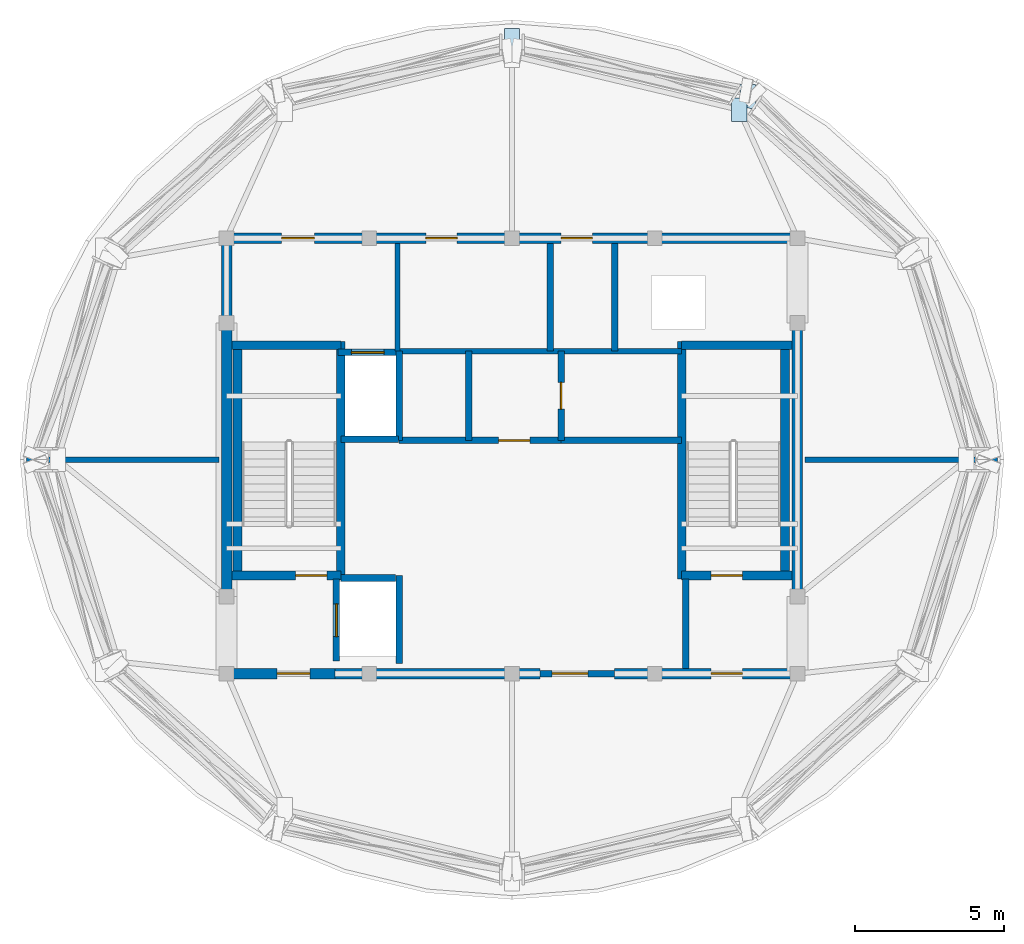
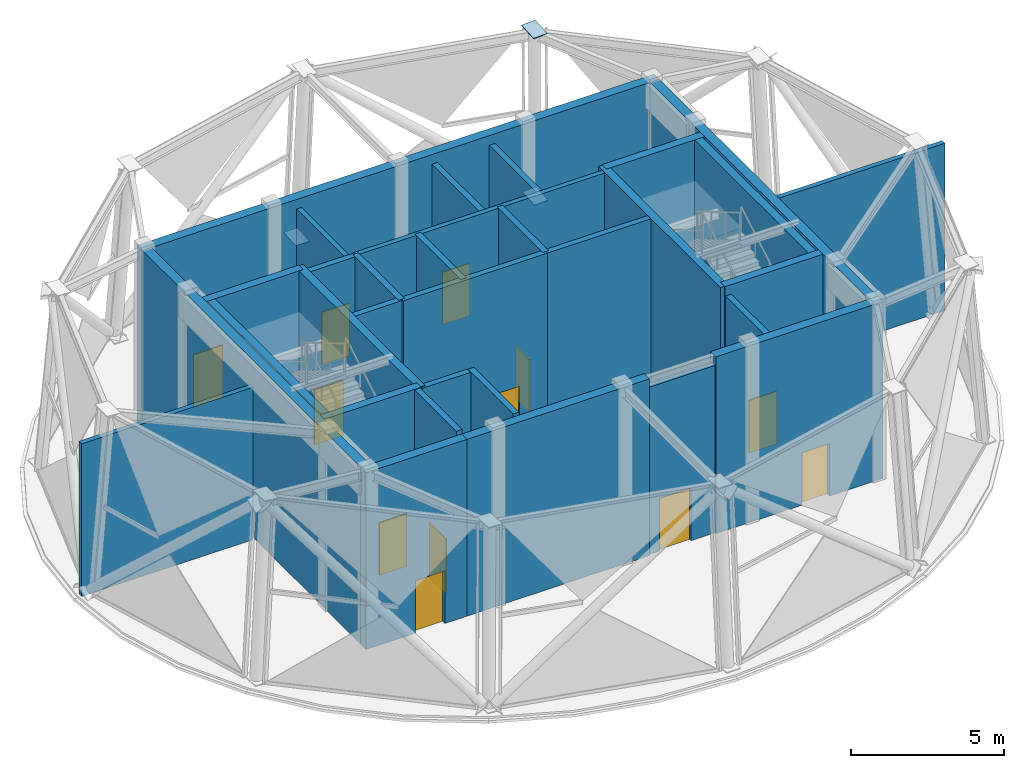
# One storey, part 5 of 9: 32 walls, 12 doors, 3 plates, 12 openings.
"""IFC4 building model written with IfcOpenShell, lengths in metres."""

from ifc_helpers import new_model, si_unit, direction, frame, frame_2d, origin, place, context, subcontext, project, spatial, polyline, rectangle, outline, extrude, material, layer, layer_set, type_object, element, fill, save


model = new_model("IFC4")

# Units and contexts
model_context = context("Model", 3, precision=1e-05, world=origin(), true_north=direction((0.0, 1.0)))
body_context = subcontext(model_context, "Body", "Model", "MODEL_VIEW")
ifc_project = project(units=[si_unit("LENGTHUNIT", "METRE"), si_unit("AREAUNIT", "SQUARE_METRE"), si_unit("VOLUMEUNIT", "CUBIC_METRE"), si_unit("PLANEANGLEUNIT", "RADIAN"), si_unit("MASSUNIT", "GRAM", prefix="KILO")], contexts=[model_context])

# Site, building, storey
site_placement = place(None, origin())
site = spatial("IfcSite", under=ifc_project, at=site_placement, CompositionType="ELEMENT")
building_placement = place(site_placement, origin())
building = spatial("IfcBuilding", under=site, at=building_placement, Name="Vantalir Tower", CompositionType="ELEMENT")
storey_placement = place(building_placement, frame((0.0, 0.0, 319.0)))
storey = spatial("IfcBuildingStorey", under=building, at=storey_placement, Name="L78", CompositionType="ELEMENT", Elevation=319.0)

# Plates
ifc_material_1 = material(Name="Steel S460", Category="steel")
ifc_layer_1 = layer(ifc_material_1, 0.031982421875)
ifc_layer_set_1 = layer_set([ifc_layer_1], Name="Steel S460")
plate_type = type_object("IfcPlateType", Name="PLT-KN-Z3", PredefinedType="USERDEFINED", material=ifc_layer_set_1)
plate_1_placement = place(storey_placement, frame((38.88330078125, 37.168212890625, 7.10888671875), z_axis=(-0.041617296581, -0.064184468103, 0.997069884552), x_axis=(-6.331688e-06, -0.997934453056, -0.06424038733)))
element("IfcPlate", 1, at=plate_1_placement, inside=storey, type_object=plate_type, Name="L78 Ring Column Top Cap RC03", ObjectType="FLANGE_PLATE", PredefinedType="USERDEFINED", context=body_context, shape_type="SweptSolid", body=[
    extrude(outline(polyline([(0.0, 0.0), (0.8000000935592787, 4.336808689942018e-19), (0.7998191374951982, 0.5199868177895337), (-0.0001652723757674195, 0.5199766784028871), (0.0, 0.0)])), origin(), (0.0, 0.0, -1.0), 0.031982421875),
])
plate_2_placement = place(storey_placement, frame((39.176025390625, 37.62158203125, 0.06787109375), z_axis=(-0.04139846883, -0.064327084096, 0.997069803489), x_axis=(4.06224e-07, -0.997925310052, -0.064382261201)))
element("IfcPlate", 2, at=plate_2_placement, inside=storey, type_object=plate_type, Name="L78 Ring Column Base Cap RC03", ObjectType="FLANGE_PLATE", PredefinedType="USERDEFINED", context=body_context, shape_type="SweptSolid", body=[
    extrude(outline(polyline([(0.0, 0.0), (0.8002437368881027, 0.0), (0.8000789058358282, 0.5199766927285164), (7.880305662494314e-05, 0.5199773433442391), (0.0, 0.0)])), origin(), (0.0, 0.0, -1.0), 0.031982421875),
])
plate_3_placement = place(storey_placement, frame((31.239990234375, 39.510986328125, 0.08251953125), z_axis=(0.0, -0.074152691722, 0.997246899374), x_axis=(0.0, -0.997246899374, -0.074152691722)))
element("IfcPlate", 3, at=plate_3_placement, inside=storey, type_object=plate_type, Name="L78 Ring Column Base Cap RC04", ObjectType="FLANGE_PLATE", PredefinedType="USERDEFINED", context=body_context, shape_type="SweptSolid", body=[
    extrude(outline(polyline([(0.0, 0.0), (0.8000541921976495, 0.0), (0.8000541921976495, 0.52001953125), (0.0, 0.52001953125), (0.0, 0.0)])), origin(), (0.0, 0.0, -1.0), 0.031982421875),
])

# Wall, opening, door
ifc_material_2 = material(Name="Concrete C50/60", Category="concrete")
ifc_layer_2 = layer(ifc_material_2, 0.35009765625)
ifc_layer_set_2 = layer_set([ifc_layer_2], Name="Concrete C50/60")
wall_type_1 = type_object("IfcWallType", Name="WL-CORE-350", PredefinedType="SHEAR", material=ifc_layer_set_2)
wall_1_placement = place(storey_placement, frame((21.72509765625, 17.800048828125, 0.0), z_axis=(0.0, 0.0, 1.0), x_axis=(1.0, 0.0, 0.0)))
wall_1 = element("IfcWall", 4, at=wall_1_placement, inside=storey, type_object=wall_type_1, Name="L78 Core Shear Wall South-West", PredefinedType="SHEAR", context=body_context, shape_type="SweptSolid", body=[
    extrude(rectangle(XDim=3.824951171875, YDim=0.35009765625, at=frame_2d((1.91259765625, 0.0))), origin(), (0.0, 0.0, 1.0), 7.070068359375),
])
opening_1_placement = place(wall_1_placement, frame((1.875, 0.0, 0.0)))
opening_1 = element("IfcOpeningElement", 5, at=opening_1_placement, cuts=wall_1, Name="Opening D-FFL", PredefinedType="OPENING", context=body_context, shape_type="SweptSolid", body=[
    extrude(rectangle(XDim=1.10009765625, YDim=2.10009765625, at=frame_2d((0.550048828125, 1.050048828125))), frame((0.0, 0.18505859375, 0.0), z_axis=(0.0, -1.0, 0.0), x_axis=(1.0, 0.0, 0.0)), (0.0, 0.0, 1.0), 0.3701171875),
])
ifc_material_3 = material(Name="Fire-rated acoustic steel door", Category="steel")
door_type_1 = type_object("IfcDoorType", Name="DR-FIRE-LOBBY-1100", OperationType="NOTDEFINED", PredefinedType="DOOR", material=ifc_material_3)
door_1_placement = place(opening_1_placement, origin())
door_1 = element("IfcDoor", 6, at=door_1_placement, inside=storey, type_object=door_type_1, Name="L78 Firefighting Lobby West Access Door", OperationType="SINGLE_SWING_LEFT", OverallHeight=2.10009765625, OverallWidth=1.10009765625, PredefinedType="DOOR", context=body_context, shape_type="SweptSolid", body=[
    extrude(rectangle(XDim=1.10009765625, YDim=2.10009765625, at=frame_2d((0.550048828125, 1.050048828125))), frame((0.0, 0.02490234375, 0.0), z_axis=(0.0, -1.0, 0.0), x_axis=(1.0, 0.0, 0.0)), (0.0, 0.0, 1.0), 0.050048828125),
])
fill(opening_1, door_1)

# Wall
wall_2_placement = place(storey_placement, frame((25.550048828125, 17.800048828125, 0.0), z_axis=(0.0, 0.0, 1.0), x_axis=(1.0, 0.0, 0.0)))
element("IfcWall", 7, at=wall_2_placement, inside=storey, type_object=wall_type_1, Name="L78 Core Shear Wall South-Mid", PredefinedType="SHEAR", context=body_context, shape_type="SweptSolid", body=[
    extrude(rectangle(XDim=6.89990234375, YDim=0.35009765625, at=frame_2d((3.449951171875, 0.0))), origin(), (0.0, 0.0, 1.0), 7.070068359375),
])

# Wall, opening, door
wall_3_placement = place(storey_placement, frame((34.949951171875, 17.800048828125, 0.0), z_axis=(0.0, 0.0, 1.0), x_axis=(1.0, 0.0, 0.0)))
wall_3 = element("IfcWall", 8, at=wall_3_placement, inside=storey, type_object=wall_type_1, Name="L78 Core Shear Wall South-East", PredefinedType="SHEAR", context=body_context, shape_type="SweptSolid", body=[
    extrude(rectangle(XDim=6.324951171875, YDim=0.35009765625, at=frame_2d((3.16259765625, 0.0))), origin(), (0.0, 0.0, 1.0), 7.070068359375),
])
opening_2_placement = place(wall_3_placement, frame((3.25, 0.0, 0.0)))
opening_2 = element("IfcOpeningElement", 9, at=opening_2_placement, cuts=wall_3, Name="Opening D-ST", PredefinedType="OPENING", context=body_context, shape_type="SweptSolid", body=[
    extrude(rectangle(XDim=1.050048828125, YDim=2.10009765625, at=frame_2d((0.52490234375, 1.050048828125))), frame((0.0, 0.18505859375, 0.0), z_axis=(0.0, -1.0, 0.0), x_axis=(1.0, 0.0, 0.0)), (0.0, 0.0, 1.0), 0.3701171875),
])
ifc_material_4 = material(Name="Fire-rated steel door leaf", Category="steel")
door_type_2 = type_object("IfcDoorType", Name="DR-FIRE-STAIR-1050", OperationType="NOTDEFINED", PredefinedType="DOOR", material=ifc_material_4)
door_2_placement = place(opening_2_placement, origin())
door_2 = element("IfcDoor", 10, at=door_2_placement, inside=storey, type_object=door_type_2, Name="L78 Stair ST2 Exit Lobby Door", OperationType="SINGLE_SWING_LEFT", OverallHeight=2.10009765625, OverallWidth=1.050048828125, PredefinedType="DOOR", context=body_context, shape_type="SweptSolid", body=[
    extrude(rectangle(XDim=1.050048828125, YDim=2.10009765625, at=frame_2d((0.52490234375, 1.050048828125))), frame((0.0, 0.02490234375, 0.0), z_axis=(0.0, -1.0, 0.0), x_axis=(1.0, 0.0, 0.0)), (0.0, 0.0, 1.0), 0.050048828125),
])
fill(opening_2, door_2)

# Wall, openings, doors
wall_4_placement = place(storey_placement, frame((21.72509765625, 32.449951171875, 0.0), z_axis=(0.0, 0.0, 1.0), x_axis=(1.0, 0.0, 0.0)))
wall_4 = element("IfcWall", 11, at=wall_4_placement, inside=storey, type_object=wall_type_1, Name="L78 Core Shear Wall North", PredefinedType="SHEAR", context=body_context, shape_type="SweptSolid", body=[
    extrude(rectangle(XDim=19.5498046875, YDim=0.35009765625, at=frame_2d((9.77490234375, 0.0))), origin(), (0.0, 0.0, 1.0), 7.070068359375),
])
opening_3_placement = place(wall_4_placement, frame((2.02490234375, 0.0, 0.0)))
opening_3 = element("IfcOpeningElement", 12, at=opening_3_placement, cuts=wall_4, Name="Opening D-FFL", PredefinedType="OPENING", context=body_context, shape_type="SweptSolid", body=[
    extrude(rectangle(XDim=1.10009765625, YDim=2.10009765625, at=frame_2d((0.550048828125, 1.050048828125))), frame((0.0, 0.18505859375, 0.0), z_axis=(0.0, -1.0, 0.0), x_axis=(1.0, 0.0, 0.0)), (0.0, 0.0, 1.0), 0.3701171875),
])
opening_4_placement = place(wall_4_placement, frame((11.425048828125, 0.0, 0.0)))
opening_4 = element("IfcOpeningElement", 13, at=opening_4_placement, cuts=wall_4, Name="Opening D-ST", PredefinedType="OPENING", context=body_context, shape_type="SweptSolid", body=[
    extrude(rectangle(XDim=1.050048828125, YDim=2.10009765625, at=frame_2d((0.52490234375, 1.050048828125))), frame((0.0, 0.18505859375, 0.0), z_axis=(0.0, -1.0, 0.0), x_axis=(1.0, 0.0, 0.0)), (0.0, 0.0, 1.0), 0.3701171875),
])
opening_5_placement = place(wall_4_placement, frame((6.875, 0.0, 0.0)))
opening_5 = element("IfcOpeningElement", 14, at=opening_5_placement, cuts=wall_4, Name="Opening D-ST", PredefinedType="OPENING", context=body_context, shape_type="SweptSolid", body=[
    extrude(rectangle(XDim=1.050048828125, YDim=2.10009765625, at=frame_2d((0.52490234375, 1.050048828125))), frame((0.0, 0.18505859375, 0.0), z_axis=(0.0, -1.0, 0.0), x_axis=(1.0, 0.0, 0.0)), (0.0, 0.0, 1.0), 0.3701171875),
])
door_3_placement = place(opening_3_placement, frame((1.10009765625, 0.0, 0.0), z_axis=(0.0, 0.0, 1.0), x_axis=(-1.0, 0.0, 0.0)))
door_3 = element("IfcDoor", 15, at=door_3_placement, inside=storey, type_object=door_type_1, Name="L78 Firefighting Lobby East Access Door", OperationType="SINGLE_SWING_RIGHT", OverallHeight=2.10009765625, OverallWidth=1.10009765625, PredefinedType="DOOR", context=body_context, shape_type="SweptSolid", body=[
    extrude(rectangle(XDim=1.10009765625, YDim=2.10009765625, at=frame_2d((0.550048828125, 1.050048828125))), frame((0.0, 0.02490234375, 0.0), z_axis=(0.0, -1.0, 0.0), x_axis=(1.0, 0.0, 0.0)), (0.0, 0.0, 1.0), 0.050048828125),
])
fill(opening_3, door_3)
door_4_placement = place(opening_4_placement, frame((1.050048828125, 0.0, 0.0), z_axis=(0.0, 0.0, 1.0), x_axis=(-1.0, 0.0, 0.0)))
door_4 = element("IfcDoor", 16, at=door_4_placement, inside=storey, type_object=door_type_2, Name="L78 North Crown Passage Link Door", OperationType="SINGLE_SWING_RIGHT", OverallHeight=2.10009765625, OverallWidth=1.050048828125, PredefinedType="DOOR", context=body_context, shape_type="SweptSolid", body=[
    extrude(rectangle(XDim=1.050048828125, YDim=2.10009765625, at=frame_2d((0.52490234375, 1.050048828125))), frame((0.0, 0.02490234375, 0.0), z_axis=(0.0, -1.0, 0.0), x_axis=(1.0, 0.0, 0.0)), (0.0, 0.0, 1.0), 0.050048828125),
])
fill(opening_4, door_4)
door_5_placement = place(opening_5_placement, frame((1.050048828125, 0.0, 0.0), z_axis=(0.0, 0.0, 1.0), x_axis=(-1.0, 0.0, 0.0)))
door_5 = element("IfcDoor", 17, at=door_5_placement, inside=storey, type_object=door_type_2, Name="L78 Crown Telemetry Plant Door", OperationType="SINGLE_SWING_LEFT", OverallHeight=2.10009765625, OverallWidth=1.050048828125, PredefinedType="DOOR", context=body_context, shape_type="SweptSolid", body=[
    extrude(rectangle(XDim=1.050048828125, YDim=2.10009765625, at=frame_2d((0.52490234375, 1.050048828125))), frame((0.0, 0.02490234375, 0.0), z_axis=(0.0, -1.0, 0.0), x_axis=(1.0, 0.0, 0.0)), (0.0, 0.0, 1.0), 0.050048828125),
])
fill(opening_5, door_5)

# Walls
for number, where, z_axis, x_axis, name in (
    (18, (21.89990234375, 17.97509765625, 0.0), (0.0, 0.0, 1.0), (0.0, 1.0, 0.0), "L78 Core Shear Wall West"),
    (19, (41.10009765625, 17.97509765625, 0.0), (0.0, 0.0, 1.0), (0.0, 1.0, 0.0), "L78 Core Shear Wall East"),
):
    element("IfcWall", number, at=place(storey_placement, frame(where, z_axis=z_axis, x_axis=x_axis)), inside=storey, type_object=wall_type_1, Name=name, PredefinedType="SHEAR", context=body_context, shape_type="SweptSolid", body=[
        extrude(rectangle(XDim=14.2998046875, YDim=0.35009765625, at=frame_2d((7.14990234375, 0.0))), origin(), (0.0, 0.0, 1.0), 7.070068359375),
    ])
ifc_material_5 = material(Name="Concrete blockwork with fireboard lining", Category="masonry")
ifc_layer_3 = layer(ifc_material_5, 0.219970703125)
ifc_layer_set_3 = layer_set([ifc_layer_3], Name="Concrete blockwork with fireboard lining")
wall_type_2 = type_object("IfcWallType", Name="WL-FFL-220", PredefinedType="PARTITIONING", material=ifc_layer_set_3)
wall_5_placement = place(storey_placement, frame((25.75, 21.02001953125, 0.0), z_axis=(0.0, 0.0, 1.0), x_axis=(1.0, 0.0, 0.0)))
element("IfcWall", 20, at=wall_5_placement, inside=storey, type_object=wall_type_2, Name="L78 Fire Lift FL1 Crown North Shaft Wall", PredefinedType="PARTITIONING", context=body_context, shape_type="SweptSolid", body=[
    extrude(rectangle(XDim=1.830078125, YDim=0.219970703125, at=frame_2d((0.9150390625, 0.0))), origin(), (0.0, 0.0, 1.0), 7.044921875),
])
wall_6_placement = place(storey_placement, frame((25.75, 25.68994140625, 0.0), z_axis=(0.0, 0.0, 1.0), x_axis=(1.0, 0.0, 0.0)))
element("IfcWall", 21, at=wall_6_placement, inside=storey, type_object=wall_type_2, Name="L78 Fire Lift FL2 Crown South Shaft Wall", PredefinedType="PARTITIONING", context=body_context, shape_type="SweptSolid", body=[
    extrude(rectangle(XDim=1.929931640625, YDim=0.219970703125, at=frame_2d((0.96484375, 0.0))), origin(), (0.0, 0.0, 1.0), 7.044921875),
])

# Wall, opening, door
wall_7_placement = place(storey_placement, frame((32.449951171875, 17.800048828125, 0.0), z_axis=(0.0, 0.0, 1.0), x_axis=(1.0, 0.0, 0.0)))
wall_7 = element("IfcWall", 22, at=wall_7_placement, inside=storey, type_object=wall_type_2, Name="L78 Passenger Lift Lobby South Wall", PredefinedType="PARTITIONING", context=body_context, shape_type="SweptSolid", body=[
    extrude(rectangle(XDim=2.5, YDim=0.219970703125, at=frame_2d((1.25, 0.0))), origin(), (0.0, 0.0, 1.0), 6.68701171875),
])
opening_6_placement = place(wall_7_placement, frame((0.39990234375, 0.0, 0.0)))
opening_6 = element("IfcOpeningElement", 23, at=opening_6_placement, cuts=wall_7, Name="Opening D-STE", PredefinedType="OPENING", context=body_context, shape_type="SweptSolid", body=[
    extrude(rectangle(XDim=1.199951171875, YDim=2.10009765625, at=frame_2d((0.60009765625, 1.050048828125))), frame((0.0, 0.119873046875, 0.0), z_axis=(0.0, -1.0, 0.0), x_axis=(1.0, 0.0, 0.0)), (0.0, 0.0, 1.0), 0.239990234375),
])
ifc_material_6 = material(Name="Solid-core teak veneer suite entrance door", Category="wood")
door_type_3 = type_object("IfcDoorType", Name="DR-SUITE-ENTRY-1200", OperationType="NOTDEFINED", PredefinedType="DOOR", material=ifc_material_6)
door_6_placement = place(opening_6_placement, origin())
door_6 = element("IfcDoor", 24, at=door_6_placement, inside=storey, type_object=door_type_3, Name="L78 Passenger Lift Lobby Concourse Door", OperationType="SINGLE_SWING_LEFT", OverallHeight=2.10009765625, OverallWidth=1.199951171875, PredefinedType="DOOR", context=body_context, shape_type="SweptSolid", body=[
    extrude(rectangle(XDim=1.199951171875, YDim=2.10009765625, at=frame_2d((0.60009765625, 1.050048828125))), frame((0.0, 0.02490234375, 0.0), z_axis=(0.0, -1.0, 0.0), x_axis=(1.0, 0.0, 0.0)), (0.0, 0.0, 1.0), 0.050048828125),
])
fill(opening_6, door_6)

# Wall
wall_8_placement = place(storey_placement, frame((37.35009765625, 17.97509765625, 0.0), z_axis=(0.0, 0.0, 1.0), x_axis=(0.0, 1.0, 0.0)))
element("IfcWall", 25, at=wall_8_placement, inside=storey, type_object=wall_type_2, Name="L78 ST2 Exit Lobby West Wall", PredefinedType="PARTITIONING", context=body_context, shape_type="SweptSolid", body=[
    extrude(rectangle(XDim=3.0048828125, YDim=0.219970703125, at=frame_2d((1.50244140625, 0.0))), origin(), (0.0, 0.0, 1.0), 6.68701171875),
])

# Wall, opening, door
wall_9_placement = place(storey_placement, frame((25.590087890625, 18.219970703125, 0.0), z_axis=(0.0, 0.0, 1.0), x_axis=(0.0, 1.0, 0.0)))
wall_9 = element("IfcWall", 26, at=wall_9_placement, inside=storey, type_object=wall_type_2, Name="L78 Lift FL1 Shaft Front Wall", PredefinedType="PARTITIONING", context=body_context, shape_type="SweptSolid", body=[
    extrude(rectangle(XDim=2.760009765625, YDim=0.219970703125, at=frame_2d((1.3798828125, 0.0))), origin(), (0.0, 0.0, 1.0), 7.050048828125),
])
opening_7_placement = place(wall_9_placement, frame((0.830078125, 0.0, 0.0)))
opening_7 = element("IfcOpeningElement", 27, at=opening_7_placement, cuts=wall_9, Name="Opening LD-FL1", PredefinedType="OPENING", context=body_context, shape_type="SweptSolid", body=[
    extrude(rectangle(XDim=1.10009765625, YDim=2.199951171875, at=frame_2d((0.550048828125, 1.10009765625))), frame((0.0, 0.119873046875, 0.0), z_axis=(0.0, -1.0, 0.0), x_axis=(1.0, 0.0, 0.0)), (0.0, 0.0, 1.0), 0.239990234375),
])
ifc_material_7 = material(Name="Brushed stainless-steel sliding lift landing door", Category="steel")
door_type_4 = type_object("IfcDoorType", Name="DR-LIFT-LANDING-1100", OperationType="DOUBLE_DOOR_SLIDING", PredefinedType="DOOR", material=ifc_material_7)
door_7_placement = place(opening_7_placement, origin())
door_7 = element("IfcDoor", 28, at=door_7_placement, inside=storey, type_object=door_type_4, Name="L78 Lift Landing Door FL1", OperationType="DOUBLE_DOOR_SLIDING", OverallHeight=2.199951171875, OverallWidth=1.10009765625, PredefinedType="DOOR", context=body_context, shape_type="SweptSolid", body=[
    extrude(rectangle(XDim=1.10009765625, YDim=2.199951171875, at=frame_2d((0.550048828125, 1.10009765625))), frame((0.0, 0.02490234375, 0.0), z_axis=(0.0, -1.0, 0.0), x_axis=(1.0, 0.0, 0.0)), (0.0, 0.0, 1.0), 0.050048828125),
])
fill(opening_7, door_7)

wall_10_placement = place(storey_placement, frame((25.639892578125, 28.610107421875, 0.0), z_axis=(0.0, 0.0, 1.0), x_axis=(1.0, 0.0, 0.0)))
wall_10 = element("IfcWall", 29, at=wall_10_placement, inside=storey, type_object=wall_type_2, Name="L78 Lift FL2 Shaft Front Wall", PredefinedType="PARTITIONING", context=body_context, shape_type="SweptSolid", body=[
    extrude(rectangle(XDim=2.02001953125, YDim=0.219970703125, at=frame_2d((1.010009765625, 0.0))), origin(), (0.0, 0.0, 1.0), 7.050048828125),
])
opening_8_placement = place(wall_10_placement, frame((0.4599609375, 0.0, 0.0)))
opening_8 = element("IfcOpeningElement", 30, at=opening_8_placement, cuts=wall_10, Name="Opening LD-FL2", PredefinedType="OPENING", context=body_context, shape_type="SweptSolid", body=[
    extrude(rectangle(XDim=1.10009765625, YDim=2.199951171875, at=frame_2d((0.550048828125, 1.10009765625))), frame((0.0, 0.119873046875, 0.0), z_axis=(0.0, -1.0, 0.0), x_axis=(1.0, 0.0, 0.0)), (0.0, 0.0, 1.0), 0.239990234375),
])
door_8_placement = place(opening_8_placement, origin())
door_8 = element("IfcDoor", 31, at=door_8_placement, inside=storey, type_object=door_type_4, Name="L78 Lift Landing Door FL2", OperationType="DOUBLE_DOOR_SLIDING", OverallHeight=2.199951171875, OverallWidth=1.10009765625, PredefinedType="DOOR", context=body_context, shape_type="SweptSolid", body=[
    extrude(rectangle(XDim=1.10009765625, YDim=2.199951171875, at=frame_2d((0.550048828125, 1.10009765625))), frame((0.0, 0.02490234375, 0.0), z_axis=(0.0, -1.0, 0.0), x_axis=(1.0, 0.0, 0.0)), (0.0, 0.0, 1.0), 0.050048828125),
])
fill(opening_8, door_8)

# Walls
wall_11_placement = place(storey_placement, frame((27.699951171875, 18.14990234375, 0.0), z_axis=(0.0, 0.0, 1.0), x_axis=(0.0, 1.0, 0.0)))
element("IfcWall", 32, at=wall_11_placement, inside=storey, type_object=wall_type_2, Name="L78 Fire Lift FL1 Dividing Wall", PredefinedType="PARTITIONING", context=body_context, shape_type="SweptSolid", body=[
    extrude(rectangle(XDim=2.9501953125, YDim=0.219970703125, at=frame_2d((1.47509765625, 0.0))), origin(), (0.0, 0.0, 1.0), 7.050048828125),
])
wall_12_placement = place(storey_placement, frame((27.699951171875, 25.64990234375, 0.0), z_axis=(0.0, 0.0, 1.0), x_axis=(0.0, 1.0, 0.0)))
element("IfcWall", 33, at=wall_12_placement, inside=storey, type_object=wall_type_2, Name="L78 Fire Lift FL2 Dividing Wall", PredefinedType="PARTITIONING", context=body_context, shape_type="SweptSolid", body=[
    extrude(rectangle(XDim=3.0, YDim=0.219970703125, at=frame_2d((1.5, 0.0))), origin(), (0.0, 0.0, 1.0), 7.050048828125),
])
wall_13_placement = place(storey_placement, frame((32.780029296875, 28.64990234375, 0.0), z_axis=(0.0, 0.0, 1.0), x_axis=(0.0, 1.0, 0.0)))
element("IfcWall", 34, at=wall_13_placement, inside=storey, type_object=wall_type_2, Name="L78 Core Plant Link West Wall", PredefinedType="PARTITIONING", context=body_context, shape_type="SweptSolid", body=[
    extrude(rectangle(XDim=3.625, YDim=0.219970703125, at=frame_2d((1.8125, 0.0))), origin(), (0.0, 0.0, 1.0), 6.68701171875),
])
wall_14_placement = place(storey_placement, frame((30.050048828125, 25.64990234375, 0.0), z_axis=(0.0, 0.0, 1.0), x_axis=(0.0, 1.0, 0.0)))
element("IfcWall", 35, at=wall_14_placement, inside=storey, type_object=wall_type_2, Name="L78 Core Plant Lower West Wall", PredefinedType="PARTITIONING", context=body_context, shape_type="SweptSolid", body=[
    extrude(rectangle(XDim=3.0, YDim=0.219970703125, at=frame_2d((1.5, 0.0))), origin(), (0.0, 0.0, 1.0), 7.050048828125),
])

# Wall, opening, door
wall_15_placement = place(storey_placement, frame((27.699951171875, 25.64990234375, 0.0), z_axis=(0.0, 0.0, 1.0), x_axis=(1.0, 0.0, 0.0)))
wall_15 = element("IfcWall", 36, at=wall_15_placement, inside=storey, type_object=wall_type_2, Name="L78 Core Plant South Lobby Wall", PredefinedType="PARTITIONING", context=body_context, shape_type="SweptSolid", body=[
    extrude(rectangle(XDim=5.449951171875, YDim=0.219970703125, at=frame_2d((2.72509765625, 0.0))), origin(), (0.0, 0.0, 1.0), 7.050048828125),
])
opening_9_placement = place(wall_15_placement, frame((3.35009765625, 0.0, 0.0)))
opening_9 = element("IfcOpeningElement", 37, at=opening_9_placement, cuts=wall_15, Name="Opening D-ST", PredefinedType="OPENING", context=body_context, shape_type="SweptSolid", body=[
    extrude(rectangle(XDim=1.050048828125, YDim=2.10009765625, at=frame_2d((0.52490234375, 1.050048828125))), frame((0.0, 0.119873046875, 0.0), z_axis=(0.0, -1.0, 0.0), x_axis=(1.0, 0.0, 0.0)), (0.0, 0.0, 1.0), 0.239990234375),
])
door_9_placement = place(opening_9_placement, frame((1.050048828125, 0.0, 0.0), z_axis=(0.0, 0.0, 1.0), x_axis=(-1.0, 0.0, 0.0)))
door_9 = element("IfcDoor", 38, at=door_9_placement, inside=storey, type_object=door_type_2, Name="L78 Core Plant Passage Lobby Door", OperationType="SINGLE_SWING_LEFT", OverallHeight=2.10009765625, OverallWidth=1.050048828125, PredefinedType="DOOR", context=body_context, shape_type="SweptSolid", body=[
    extrude(rectangle(XDim=1.050048828125, YDim=2.10009765625, at=frame_2d((0.52490234375, 1.050048828125))), frame((0.0, 0.02490234375, 0.0), z_axis=(0.0, -1.0, 0.0), x_axis=(1.0, 0.0, 0.0)), (0.0, 0.0, 1.0), 0.050048828125),
])
fill(opening_9, door_9)

wall_16_placement = place(storey_placement, frame((33.14990234375, 25.64990234375, 0.0), z_axis=(0.0, 0.0, 1.0), x_axis=(0.0, 1.0, 0.0)))
wall_16 = element("IfcWall", 39, at=wall_16_placement, inside=storey, type_object=wall_type_2, Name="L78 Crown Emergency Switchroom West Wall", PredefinedType="PARTITIONING", context=body_context, shape_type="SweptSolid", body=[
    extrude(rectangle(XDim=3.0, YDim=0.219970703125, at=frame_2d((1.5, 0.0))), origin(), (0.0, 0.0, 1.0), 7.050048828125),
])
opening_10_placement = place(wall_16_placement, frame((1.050048828125, 0.0, 0.0)))
opening_10 = element("IfcOpeningElement", 40, at=opening_10_placement, cuts=wall_16, Name="Opening D-CR", PredefinedType="OPENING", context=body_context, shape_type="SweptSolid", body=[
    extrude(rectangle(XDim=0.89990234375, YDim=2.10009765625, at=frame_2d((0.449951171875, 1.050048828125))), frame((0.0, 0.119873046875, 0.0), z_axis=(0.0, -1.0, 0.0), x_axis=(1.0, 0.0, 0.0)), (0.0, 0.0, 1.0), 0.239990234375),
])
ifc_material_8 = material(Name="Fire-rated steel core service door", Category="steel")
door_type_5 = type_object("IfcDoorType", Name="DR-CORE-SERV-900", OperationType="NOTDEFINED", PredefinedType="DOOR", material=ifc_material_8)
door_10_placement = place(opening_10_placement, frame((0.89990234375, 0.0, 0.0), z_axis=(0.0, 0.0, 1.0), x_axis=(-1.0, 0.0, 0.0)))
door_10 = element("IfcDoor", 41, at=door_10_placement, inside=storey, type_object=door_type_5, Name="L78 Crown Emergency Switchroom Door", OperationType="SINGLE_SWING_RIGHT", OverallHeight=2.10009765625, OverallWidth=0.89990234375, PredefinedType="DOOR", context=body_context, shape_type="SweptSolid", body=[
    extrude(rectangle(XDim=0.89990234375, YDim=2.10009765625, at=frame_2d((0.449951171875, 1.050048828125))), frame((0.0, 0.02490234375, 0.0), z_axis=(0.0, -1.0, 0.0), x_axis=(1.0, 0.0, 0.0)), (0.0, 0.0, 1.0), 0.050048828125),
])
fill(opening_10, door_10)

# Walls
wall_17_placement = place(storey_placement, frame((33.14990234375, 25.64990234375, 0.0), z_axis=(0.0, 0.0, 1.0), x_axis=(1.0, 0.0, 0.0)))
element("IfcWall", 42, at=wall_17_placement, inside=storey, type_object=wall_type_2, Name="L78 Crown Emergency Switchroom South Wall", PredefinedType="PARTITIONING", context=body_context, shape_type="SweptSolid", body=[
    extrude(rectangle(XDim=4.06005859375, YDim=0.219970703125, at=frame_2d((2.030029296875, 0.0))), origin(), (0.0, 0.0, 1.0), 7.050048828125),
])
wall_18_placement = place(storey_placement, frame((34.949951171875, 28.64990234375, 0.0), z_axis=(0.0, 0.0, 1.0), x_axis=(0.0, 1.0, 0.0)))
element("IfcWall", 43, at=wall_18_placement, inside=storey, type_object=wall_type_2, Name="L78 Core Plant Link East Wall", PredefinedType="PARTITIONING", context=body_context, shape_type="SweptSolid", body=[
    extrude(rectangle(XDim=3.625, YDim=0.219970703125, at=frame_2d((1.8125, 0.0))), origin(), (0.0, 0.0, 1.0), 6.68701171875),
])
ifc_material_9 = material(Name="Twin-stud acoustic fire-rated gypsum partition", Category="gypsum")
ifc_layer_4 = layer(ifc_material_9, 0.179931640625)
ifc_layer_set_4 = layer_set([ifc_layer_4], Name="Twin-stud acoustic fire-rated gypsum partition")
wall_type_3 = type_object("IfcWallType", Name="WL-GUEST-180", PredefinedType="PARTITIONING", material=ifc_layer_set_4)
wall_19_placement = place(storey_placement, frame((27.64990234375, 28.64990234375, 0.0), z_axis=(0.0, 0.0, 1.0), x_axis=(1.0, 0.0, 0.0)))
element("IfcWall", 44, at=wall_19_placement, inside=storey, type_object=wall_type_3, Name="L78 Crown Core North Plant South Wall", PredefinedType="PARTITIONING", context=body_context, shape_type="SweptSolid", body=[
    extrude(rectangle(XDim=9.56005859375, YDim=0.179931640625, at=frame_2d((4.780029296875, 0.0))), origin(), (0.0, 0.0, 1.0), 7.050048828125),
])
wall_20_placement = place(storey_placement, frame((27.64990234375, 28.64990234375, 0.0), z_axis=(0.0, 0.0, 1.0), x_axis=(0.0, 1.0, 0.0)))
element("IfcWall", 45, at=wall_20_placement, inside=storey, type_object=wall_type_3, Name="L78 Crown Core North Plant West Wall", PredefinedType="PARTITIONING", context=body_context, shape_type="SweptSolid", body=[
    extrude(rectangle(XDim=3.625, YDim=0.179931640625, at=frame_2d((1.8125, 0.0))), origin(), (0.0, 0.0, 1.0), 6.68701171875),
])
wall_21_placement = place(storey_placement, frame((41.35009765625, 25.0, 0.0), z_axis=(0.0, 0.0, 1.0), x_axis=(1.0, 0.0, 0.0)))
element("IfcWall", 46, at=wall_21_placement, inside=storey, type_object=wall_type_3, Name="L78 Radial Suite Partition 01", PredefinedType="PARTITIONING", context=body_context, shape_type="SweptSolid", body=[
    extrude(rectangle(XDim=6.474853515625, YDim=0.179931640625, at=frame_2d((3.2373046875, 0.0))), origin(), (0.0, 0.0, 1.0), 6.68701171875),
])
wall_22_placement = place(storey_placement, frame((21.64990234375, 25.0, 0.0), z_axis=(0.0, 0.0, 1.0), x_axis=(-1.0, 0.0, 0.0)))
element("IfcWall", 47, at=wall_22_placement, inside=storey, type_object=wall_type_3, Name="L78 Radial Suite Partition 02", PredefinedType="PARTITIONING", context=body_context, shape_type="SweptSolid", body=[
    extrude(rectangle(XDim=6.474853515625, YDim=0.179931640625, at=frame_2d((3.2373046875, 0.0))), origin(), (0.0, 0.0, 1.0), 6.094970703125),
])

# Wall, opening, door
ifc_layer_5 = layer(ifc_material_2, 0.300048828125)
ifc_layer_set_5 = layer_set([ifc_layer_5], Name="Concrete C50/60")
wall_type_4 = type_object("IfcWallType", Name="WL-STAIR-300", PredefinedType="SHEAR", material=ifc_layer_set_5)
wall_23_placement = place(storey_placement, frame((22.074951171875, 21.10009765625, 0.0), z_axis=(0.0, 0.0, 1.0), x_axis=(1.0, 0.0, 0.0)))
wall_23 = element("IfcWall", 48, at=wall_23_placement, inside=storey, type_object=wall_type_4, Name="L78 Stair ST1 South Wall", PredefinedType="SHEAR", context=body_context, shape_type="SweptSolid", body=[
    extrude(rectangle(XDim=3.6650390625, YDim=0.300048828125, at=frame_2d((1.83251953125, 0.0))), origin(), (0.0, 0.0, 1.0), 7.070068359375),
])
opening_11_placement = place(wall_23_placement, frame((2.14501953125, 0.0, 0.0)))
opening_11 = element("IfcOpeningElement", 49, at=opening_11_placement, cuts=wall_23, Name="Opening D-ST", PredefinedType="OPENING", context=body_context, shape_type="SweptSolid", body=[
    extrude(rectangle(XDim=1.050048828125, YDim=2.10009765625, at=frame_2d((0.52490234375, 1.050048828125))), frame((0.0, 0.159912109375, 0.0), z_axis=(0.0, -1.0, 0.0), x_axis=(1.0, 0.0, 0.0)), (0.0, 0.0, 1.0), 0.320068359375),
])
door_11_placement = place(opening_11_placement, origin())
door_11 = element("IfcDoor", 50, at=door_11_placement, inside=storey, type_object=door_type_2, Name="L78 Exit Stair ST1 Fire Door", OperationType="SINGLE_SWING_LEFT", OverallHeight=2.10009765625, OverallWidth=1.050048828125, PredefinedType="DOOR", context=body_context, shape_type="SweptSolid", body=[
    extrude(rectangle(XDim=1.050048828125, YDim=2.10009765625, at=frame_2d((0.52490234375, 1.050048828125))), frame((0.0, 0.02490234375, 0.0), z_axis=(0.0, -1.0, 0.0), x_axis=(1.0, 0.0, 0.0)), (0.0, 0.0, 1.0), 0.050048828125),
])
fill(opening_11, door_11)

# Walls
wall_24_placement = place(storey_placement, frame((22.074951171875, 28.85009765625, 0.0), z_axis=(0.0, 0.0, 1.0), x_axis=(1.0, 0.0, 0.0)))
element("IfcWall", 51, at=wall_24_placement, inside=storey, type_object=wall_type_4, Name="L78 Stair ST1 North Wall", PredefinedType="SHEAR", context=body_context, shape_type="SweptSolid", body=[
    extrude(rectangle(XDim=3.6650390625, YDim=0.300048828125, at=frame_2d((1.83251953125, 0.0))), origin(), (0.0, 0.0, 1.0), 7.070068359375),
])
wall_25_placement = place(storey_placement, frame((25.739990234375, 20.97998046875, 0.0), z_axis=(0.0, 0.0, 1.0), x_axis=(0.0, 1.0, 0.0)))
element("IfcWall", 52, at=wall_25_placement, inside=storey, type_object=wall_type_4, Name="L78 Stair ST1 East Wall", PredefinedType="SHEAR", context=body_context, shape_type="SweptSolid", body=[
    extrude(rectangle(XDim=7.989990234375, YDim=0.300048828125, at=frame_2d((3.9951171875, 0.0))), origin(), (0.0, 0.0, 1.0), 7.070068359375),
])
wall_26_placement = place(storey_placement, frame((22.260009765625, 21.10009765625, 0.0), z_axis=(0.0, 0.0, 1.0), x_axis=(0.0, 1.0, 0.0)))
element("IfcWall", 53, at=wall_26_placement, inside=storey, type_object=wall_type_4, Name="L78 Stair ST1 West Liner Wall", PredefinedType="SHEAR", context=body_context, shape_type="SweptSolid", body=[
    extrude(rectangle(XDim=7.75, YDim=0.300048828125, at=frame_2d((3.875, 0.0))), origin(), (0.0, 0.0, 1.0), 7.070068359375),
])

# Wall, opening, door
wall_27_placement = place(storey_placement, frame((37.2099609375, 21.10009765625, 0.0), z_axis=(0.0, 0.0, 1.0), x_axis=(1.0, 0.0, 0.0)))
wall_27 = element("IfcWall", 54, at=wall_27_placement, inside=storey, type_object=wall_type_4, Name="L78 Stair ST2 South Wall", PredefinedType="SHEAR", context=body_context, shape_type="SweptSolid", body=[
    extrude(rectangle(XDim=3.715087890625, YDim=0.300048828125, at=frame_2d((1.857421875, 0.0))), origin(), (0.0, 0.0, 1.0), 7.070068359375),
])
opening_12_placement = place(wall_27_placement, frame((0.989990234375, 0.0, 0.0)))
opening_12 = element("IfcOpeningElement", 55, at=opening_12_placement, cuts=wall_27, Name="Opening D-ST", PredefinedType="OPENING", context=body_context, shape_type="SweptSolid", body=[
    extrude(rectangle(XDim=1.050048828125, YDim=2.10009765625, at=frame_2d((0.52490234375, 1.050048828125))), frame((0.0, 0.159912109375, 0.0), z_axis=(0.0, -1.0, 0.0), x_axis=(1.0, 0.0, 0.0)), (0.0, 0.0, 1.0), 0.320068359375),
])
door_12_placement = place(opening_12_placement, origin())
door_12 = element("IfcDoor", 56, at=door_12_placement, inside=storey, type_object=door_type_2, Name="L78 Exit Stair ST2 Fire Door", OperationType="SINGLE_SWING_LEFT", OverallHeight=2.10009765625, OverallWidth=1.050048828125, PredefinedType="DOOR", context=body_context, shape_type="SweptSolid", body=[
    extrude(rectangle(XDim=1.050048828125, YDim=2.10009765625, at=frame_2d((0.52490234375, 1.050048828125))), frame((0.0, 0.02490234375, 0.0), z_axis=(0.0, -1.0, 0.0), x_axis=(1.0, 0.0, 0.0)), (0.0, 0.0, 1.0), 0.050048828125),
])
fill(opening_12, door_12)

# Walls
wall_28_placement = place(storey_placement, frame((37.2099609375, 28.85009765625, 0.0), z_axis=(0.0, 0.0, 1.0), x_axis=(1.0, 0.0, 0.0)))
element("IfcWall", 57, at=wall_28_placement, inside=storey, type_object=wall_type_4, Name="L78 Stair ST2 North Wall", PredefinedType="SHEAR", context=body_context, shape_type="SweptSolid", body=[
    extrude(rectangle(XDim=3.715087890625, YDim=0.300048828125, at=frame_2d((1.857421875, 0.0))), origin(), (0.0, 0.0, 1.0), 7.070068359375),
])
wall_29_placement = place(storey_placement, frame((37.2099609375, 20.97998046875, 0.0), z_axis=(0.0, 0.0, 1.0), x_axis=(0.0, 1.0, 0.0)))
element("IfcWall", 58, at=wall_29_placement, inside=storey, type_object=wall_type_4, Name="L78 Stair ST2 West Wall", PredefinedType="SHEAR", context=body_context, shape_type="SweptSolid", body=[
    extrude(rectangle(XDim=7.989990234375, YDim=0.300048828125, at=frame_2d((3.9951171875, 0.0))), origin(), (0.0, 0.0, 1.0), 7.070068359375),
])
wall_30_placement = place(storey_placement, frame((40.68994140625, 21.10009765625, 0.0), z_axis=(0.0, 0.0, 1.0), x_axis=(0.0, 1.0, 0.0)))
element("IfcWall", 59, at=wall_30_placement, inside=storey, type_object=wall_type_4, Name="L78 Stair ST2 East Liner Wall", PredefinedType="SHEAR", context=body_context, shape_type="SweptSolid", body=[
    extrude(rectangle(XDim=7.75, YDim=0.300048828125, at=frame_2d((3.875, 0.0))), origin(), (0.0, 0.0, 1.0), 7.070068359375),
])

save(model, "model.ifc")
